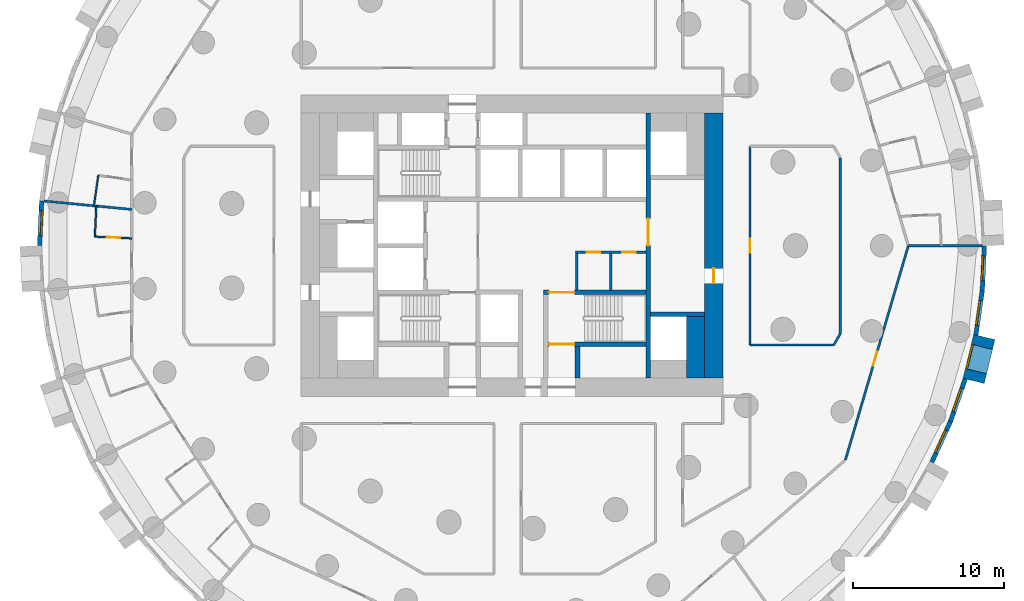
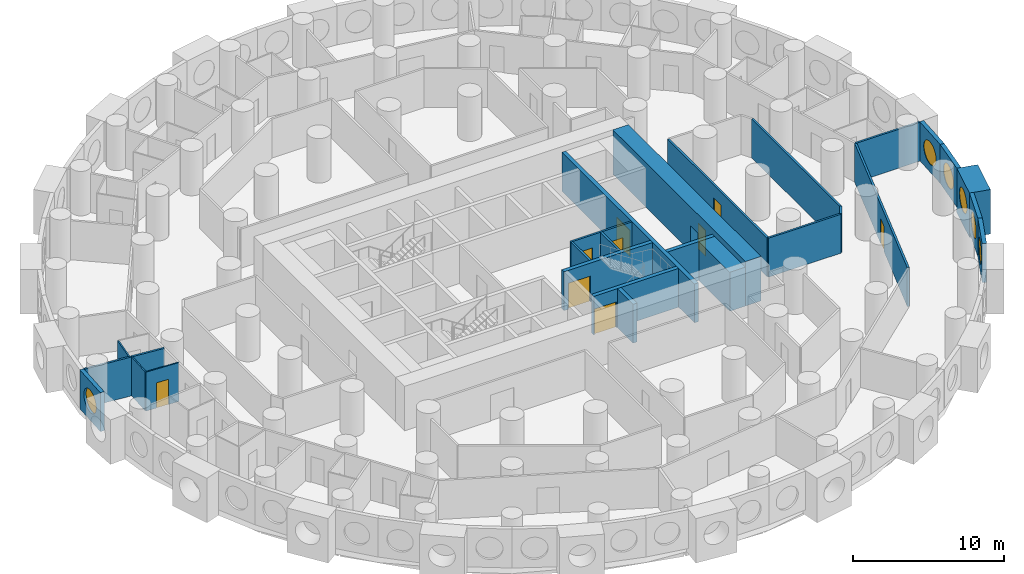
# One storey, part 6 of 12: 26 walls, 9 doors, 6 windows, 15 openings.
"""IFC4 building model written with IfcOpenShell, lengths in metres."""

from ifc_helpers import new_model, si_unit, direction, frame, frame_2d, origin, origin_2d, place, context, subcontext, project, spatial, rectangle, circle, extrude, material, layer, layer_set, type_object, element, fill, save


model = new_model("IFC4")

# Units and contexts
model_context = context("Model", 3, precision=1e-05, world=origin(), true_north=direction((0.0, 1.0)))
body_context = subcontext(model_context, "Body", "Model", "MODEL_VIEW")
ifc_project = project(units=[si_unit("LENGTHUNIT", "METRE"), si_unit("AREAUNIT", "SQUARE_METRE"), si_unit("VOLUMEUNIT", "CUBIC_METRE"), si_unit("PLANEANGLEUNIT", "RADIAN"), si_unit("MASSUNIT", "GRAM", prefix="KILO")], contexts=[model_context])

# Site, building, storey
site_placement = place(None, origin())
site = spatial("IfcSite", under=ifc_project, at=site_placement, CompositionType="ELEMENT")
building_placement = place(site_placement, origin())
building = spatial("IfcBuilding", under=site, at=building_placement, Name="Tracery Tower", CompositionType="ELEMENT")
storey_placement = place(building_placement, frame((0.0, 0.0, 35.39990234375)))
storey = spatial("IfcBuildingStorey", under=building, at=storey_placement, Name="L07", CompositionType="ELEMENT", Elevation=35.39990234375)

# Wall
ifc_material_1 = material(Name="Plasterboard on steel studs", Category="steel")
ifc_layer_1 = layer(ifc_material_1, 0.14990234375)
ifc_layer_set_1 = layer_set([ifc_layer_1], Name="Core room partition 150")
wall_type_1 = type_object("IfcWallType", Name="Core room partition 150", PredefinedType="SOLIDWALL", material=ifc_layer_set_1)
wall_1_placement = place(storey_placement, frame((4.300048828125, -2.949951171875, 0.0), z_axis=(0.0, 0.0, 1.0), x_axis=(0.0, 1.0, 0.0)))
element("IfcWall", 1, at=wall_1_placement, inside=storey, type_object=wall_type_1, Name="L07 slot W", PredefinedType="SOLIDWALL", context=body_context, shape_type="SweptSolid", body=[
    extrude(rectangle(XDim=2.449951171875, YDim=0.14990234375, at=frame_2d((1.22509765625, 0.0))), origin(), (0.0, 0.0, 1.0), 3.150146484375),
])

# Wall, openings, doors
wall_2_placement = place(storey_placement, frame((4.22509765625, -0.425048828125, 0.0), z_axis=(0.0, 0.0, 1.0), x_axis=(1.0, 0.0, 0.0)))
wall_2 = element("IfcWall", 2, at=wall_2_placement, inside=storey, type_object=wall_type_1, Name="L07 slot N", PredefinedType="SOLIDWALL", context=body_context, shape_type="SweptSolid", body=[
    extrude(rectangle(XDim=4.6748046875, YDim=0.14990234375, at=frame_2d((2.33740234375, 0.0))), origin(), (0.0, 0.0, 1.0), 3.150146484375),
])
opening_1_placement = place(wall_2_placement, frame((0.75, 0.0, 0.0)))
opening_1 = element("IfcOpeningElement", 3, at=opening_1_placement, cuts=wall_2, Name="Opening KD22", PredefinedType="OPENING", context=body_context, shape_type="SweptSolid", body=[
    extrude(rectangle(XDim=0.89990234375, YDim=2.10009765625, at=frame_2d((0.449951171875, 1.050048828125))), frame((0.0, 0.074951171875, 0.0), z_axis=(0.0, -1.0, 0.0), x_axis=(1.0, 0.0, 0.0)), (0.0, 0.0, 1.0), 0.14990234375),
])
opening_2_placement = place(wall_2_placement, frame((3.08740234375, 0.0, 0.0)))
opening_2 = element("IfcOpeningElement", 4, at=opening_2_placement, cuts=wall_2, Name="Opening KD26", PredefinedType="OPENING", context=body_context, shape_type="SweptSolid", body=[
    extrude(rectangle(XDim=0.89990234375, YDim=2.10009765625, at=frame_2d((0.449951171875, 1.050048828125))), frame((0.0, 0.074951171875, 0.0), z_axis=(0.0, -1.0, 0.0), x_axis=(1.0, 0.0, 0.0)), (0.0, 0.0, 1.0), 0.14990234375),
])
ifc_material_2 = material(Name="Timber door leaf", Category="wood")
door_type_1 = type_object("IfcDoorType", Name="Core WC door 900", OperationType="NOTDEFINED", PredefinedType="DOOR", material=ifc_material_2)
door_1_placement = place(opening_1_placement, origin())
door_1 = element("IfcDoor", 5, at=door_1_placement, inside=storey, type_object=door_type_1, Name="Core door", OperationType="SINGLE_SWING_RIGHT", OverallHeight=2.10009765625, OverallWidth=0.89990234375, PredefinedType="DOOR", context=body_context, shape_type="SweptSolid", body=[
    extrude(rectangle(XDim=0.89990234375, YDim=2.10009765625, at=frame_2d((0.449951171875, 1.050048828125))), frame((0.0, 0.02490234375, 0.0), z_axis=(0.0, -1.0, 0.0), x_axis=(1.0, 0.0, 0.0)), (0.0, 0.0, 1.0), 0.050048828125),
])
fill(opening_1, door_1)
ifc_material_3 = material(Name="Timber door leaf", Category="wood")
door_type_2 = type_object("IfcDoorType", Name="Core store door 900", OperationType="NOTDEFINED", PredefinedType="DOOR", material=ifc_material_3)
door_2_placement = place(opening_2_placement, origin())
door_2 = element("IfcDoor", 6, at=door_2_placement, inside=storey, type_object=door_type_2, Name="Core door", OperationType="SINGLE_SWING_LEFT", OverallHeight=2.10009765625, OverallWidth=0.89990234375, PredefinedType="DOOR", context=body_context, shape_type="SweptSolid", body=[
    extrude(rectangle(XDim=0.89990234375, YDim=2.10009765625, at=frame_2d((0.449951171875, 1.050048828125))), frame((0.0, 0.02490234375, 0.0), z_axis=(0.0, -1.0, 0.0), x_axis=(1.0, 0.0, 0.0)), (0.0, 0.0, 1.0), 0.050048828125),
])
fill(opening_2, door_2)

# Walls
wall_3_placement = place(storey_placement, frame((6.550048828125, -2.949951171875, 0.0), z_axis=(0.0, 0.0, 1.0), x_axis=(0.0, 1.0, 0.0)))
element("IfcWall", 7, at=wall_3_placement, inside=storey, type_object=wall_type_1, Name="L07 slot sep 1", PredefinedType="SOLIDWALL", context=body_context, shape_type="SweptSolid", body=[
    extrude(rectangle(XDim=2.449951171875, YDim=0.14990234375, at=frame_2d((1.22509765625, 0.0))), origin(), (0.0, 0.0, 1.0), 3.150146484375),
])
ifc_material_4 = material(Name="Concrete C60/75", Category="concrete")
ifc_layer_2 = layer(ifc_material_4, 1.199951171875)
ifc_layer_set_2 = layer_set([ifc_layer_2], Name="Core strip wall 1200 C60")
wall_type_2 = type_object("IfcWallType", Name="Core strip wall 1200 C60", PredefinedType="SOLIDWALL", material=ifc_layer_set_2)
wall_4_placement = place(storey_placement, frame((12.199951171875, -8.800048828125, 0.0), z_axis=(0.0, 0.0, 1.0), x_axis=(0.0, 1.0, 0.0)))
element("IfcWall", 8, at=wall_4_placement, inside=storey, type_object=wall_type_2, Name="L07 wing strip +1 -9.4", PredefinedType="SOLIDWALL", context=body_context, shape_type="SweptSolid", body=[
    extrude(rectangle(XDim=4.10009765625, YDim=1.199951171875, at=frame_2d((2.050048828125, 0.0))), origin(), (0.0, 0.0, 1.0), 3.150146484375),
])

# Wall, opening, door
ifc_material_5 = material(Name="Concrete C60/75", Category="concrete")
ifc_layer_3 = layer(ifc_material_5, 1.199951171875)
ifc_layer_set_3 = layer_set([ifc_layer_3], Name="Core wall 1200 C60")
wall_type_3 = type_object("IfcWallType", Name="Core wall 1200 C60", PredefinedType="SOLIDWALL", material=ifc_layer_set_3)
wall_5_placement = place(storey_placement, frame((13.39990234375, -8.800048828125, 0.0), z_axis=(0.0, 0.0, 1.0), x_axis=(0.0, 1.0, 0.0)))
wall_5 = element("IfcWall", 9, at=wall_5_placement, inside=storey, type_object=wall_type_3, Name="L07 outer E", PredefinedType="SOLIDWALL", context=body_context, shape_type="SweptSolid", body=[
    extrude(rectangle(XDim=17.60009765625, YDim=1.199951171875, at=frame_2d((8.800048828125, 0.0))), origin(), (0.0, 0.0, 1.0), 3.60009765625),
])
opening_3_placement = place(wall_5_placement, frame((6.300048828125, 0.0, 0.0)))
opening_3 = element("IfcOpeningElement", 10, at=opening_3_placement, cuts=wall_5, Name="Opening KD18", PredefinedType="OPENING", context=body_context, shape_type="SweptSolid", body=[
    extrude(rectangle(XDim=1.0, YDim=2.10009765625, at=frame_2d((0.5, 1.050048828125))), frame((0.0, 0.60009765625, 0.0), z_axis=(0.0, -1.0, 0.0), x_axis=(1.0, 0.0, 0.0)), (0.0, 0.0, 1.0), 1.199951171875),
])
ifc_material_6 = material(Name="Steel fire door", Category="steel")
door_type_3 = type_object("IfcDoorType", Name="Core exit door 1000", OperationType="NOTDEFINED", PredefinedType="DOOR", material=ifc_material_6)
door_3_placement = place(opening_3_placement, origin())
door_3 = element("IfcDoor", 11, at=door_3_placement, inside=storey, type_object=door_type_3, Name="Core exit door", OperationType="DOUBLE_DOOR_SINGLE_SWING", OverallHeight=2.10009765625, OverallWidth=1.0, PredefinedType="DOOR", context=body_context, shape_type="SweptSolid", body=[
    extrude(rectangle(XDim=1.0, YDim=2.10009765625, at=frame_2d((0.5, 1.050048828125))), frame((0.0, 0.02490234375, 0.0), z_axis=(0.0, -1.0, 0.0), x_axis=(1.0, 0.0, 0.0)), (0.0, 0.0, 1.0), 0.050048828125),
])
fill(opening_3, door_3)

# Wall, opening, window
ifc_material_7 = material(Name="Precast concrete C50/60", Category="concrete")
ifc_layer_4 = layer(ifc_material_7, 1.449951171875)
ifc_layer_set_4 = layer_set([ifc_layer_4], Name="Deep-set bay unit 3000 x 3600, slab edge 450")
wall_type_4 = type_object("IfcWallType", Name="Deep-set bay unit 3000 x 3600, slab edge 450", PredefinedType="ELEMENTEDWALL", material=ifc_layer_set_4)
wall_6_placement = place(storey_placement, frame((30.66064453125, -8.981689453125, -0.449951171875), z_axis=(0.0, 0.0, 1.0), x_axis=(0.235751415068, 0.971813392732, 0.0)))
wall_6 = element("IfcWall", 12, at=wall_6_placement, inside=storey, type_object=wall_type_4, Name="Deep-set bay unit 64 at L07", PredefinedType="ELEMENTEDWALL", context=body_context, shape_type="SweptSolid", body=[
    extrude(rectangle(XDim=3.0, YDim=1.449951171875, at=frame_2d((1.5, 0.0))), origin(), (0.0, 0.0, 1.0), 3.60009765625),
])
opening_4_placement = place(wall_6_placement, frame((1.5, 0.0, 2.0)))
opening_4 = element("IfcOpeningElement", 13, at=opening_4_placement, cuts=wall_6, Name="Opening WN1", PredefinedType="OPENING", context=body_context, shape_type="SweptSolid", body=[
    extrude(circle(Radius=0.9000244140625, at=origin_2d()), frame((0.0, 0.73486328125, 0.0), z_axis=(0.0, -1.0, 0.0), x_axis=(1.0, 0.0, 0.0)), (0.0, 0.0, 1.0), 1.469970703125),
])
ifc_material_8 = material(Name="Aluminium frame with tinted double glazing", Category="aluminium")
window_type = type_object("IfcWindowType", Name="Round window 1800", PartitioningType="SINGLE_PANEL", PredefinedType="WINDOW", material=ifc_material_8)
window_1_placement = place(opening_4_placement, origin())
window_1 = element("IfcWindow", 14, at=window_1_placement, inside=storey, type_object=window_type, Name="Round window 64 at L07", OverallHeight=1.800048828125, OverallWidth=1.800048828125, PartitioningType="SINGLE_PANEL", PredefinedType="WINDOW", context=body_context, shape_type="SweptSolid", body=[
    extrude(circle(Radius=0.9000244140625, at=origin_2d()), frame((0.0, 0.69482421875, 0.0), z_axis=(0.0, -1.0, 0.0), x_axis=(1.0, 0.0, 0.0)), (0.0, 0.0, 1.0), 0.10009765625),
])
fill(opening_4, window_1)

ifc_material_9 = material(Name="Precast concrete C50/60", Category="concrete")
ifc_layer_5 = layer(ifc_material_9, 0.300048828125)
ifc_layer_set_5 = layer_set([ifc_layer_5], Name="Facade panel 3000 x 3150")
wall_type_5 = type_object("IfcWallType", Name="Facade panel 3000 x 3150", PredefinedType="SOLIDWALL", material=ifc_layer_set_5)
wall_7_placement = place(storey_placement, frame((-31.232421875, 2.982421875, 0.0), z_axis=(0.0, 0.0, 1.0), x_axis=(-0.047522328113, -0.998870175914, 0.0)))
wall_7 = element("IfcWall", 15, at=wall_7_placement, inside=storey, type_object=wall_type_5, Name="Facade panel 33 at L07", PredefinedType="SOLIDWALL", context=body_context, shape_type="SweptSolid", body=[
    extrude(rectangle(XDim=2.979736328125, YDim=0.300048828125, at=frame_2d((1.48974609375, 0.0))), origin(), (0.0, 0.0, 1.0), 3.150146484375),
])
opening_5_placement = place(wall_7_placement, frame((1.48974609375, 0.0, 1.5498046875)))
opening_5 = element("IfcOpeningElement", 16, at=opening_5_placement, cuts=wall_7, Name="Opening WN1", PredefinedType="OPENING", context=body_context, shape_type="SweptSolid", body=[
    extrude(circle(Radius=0.9000244140625, at=origin_2d()), frame((0.0, 0.159912109375, 0.0), z_axis=(0.0, -1.0, 0.0), x_axis=(1.0, 0.0, 0.0)), (0.0, 0.0, 1.0), 0.320068359375),
])
window_2_placement = place(opening_5_placement, origin())
window_2 = element("IfcWindow", 17, at=window_2_placement, inside=storey, type_object=window_type, Name="Round window 33 at L07", OverallHeight=1.800048828125, OverallWidth=1.800048828125, PartitioningType="SINGLE_PANEL", PredefinedType="WINDOW", context=body_context, shape_type="SweptSolid", body=[
    extrude(circle(Radius=0.9000244140625, at=origin_2d()), frame((0.0, 0.1201171875, 0.0), z_axis=(0.0, -1.0, 0.0), x_axis=(1.0, 0.0, 0.0)), (0.0, 0.0, 1.0), 0.10009765625),
])
fill(opening_5, window_2)

wall_8_placement = place(storey_placement, frame((27.88916015625, -14.37109375, 0.0), z_axis=(0.0, 0.0, 1.0), x_axis=(0.415407317162, 0.909635509888, 0.0)))
wall_8 = element("IfcWall", 18, at=wall_8_placement, inside=storey, type_object=wall_type_5, Name="Facade panel 62 at L07", PredefinedType="SOLIDWALL", context=body_context, shape_type="SweptSolid", body=[
    extrude(rectangle(XDim=2.979736328125, YDim=0.300048828125, at=frame_2d((1.48974609375, 0.0))), origin(), (0.0, 0.0, 1.0), 3.150146484375),
])
opening_6_placement = place(wall_8_placement, frame((1.48974609375, 0.0, 1.5498046875)))
opening_6 = element("IfcOpeningElement", 19, at=opening_6_placement, cuts=wall_8, Name="Opening WN1", PredefinedType="OPENING", context=body_context, shape_type="SweptSolid", body=[
    extrude(circle(Radius=0.9000244140625, at=origin_2d()), frame((0.0, 0.159912109375, 0.0), z_axis=(0.0, -1.0, 0.0), x_axis=(1.0, 0.0, 0.0)), (0.0, 0.0, 1.0), 0.320068359375),
])
window_3_placement = place(opening_6_placement, origin())
window_3 = element("IfcWindow", 20, at=window_3_placement, inside=storey, type_object=window_type, Name="Round window 62 at L07", OverallHeight=1.800048828125, OverallWidth=1.800048828125, PartitioningType="SINGLE_PANEL", PredefinedType="WINDOW", context=body_context, shape_type="SweptSolid", body=[
    extrude(circle(Radius=0.9000244140625, at=origin_2d()), frame((0.0, 0.1201171875, 0.0), z_axis=(0.0, -1.0, 0.0), x_axis=(1.0, 0.0, 0.0)), (0.0, 0.0, 1.0), 0.10009765625),
])
fill(opening_6, window_3)

wall_9_placement = place(storey_placement, frame((29.126953125, -11.66064453125, 0.0), z_axis=(0.0, 0.0, 1.0), x_axis=(0.327096492592, 0.944990944154, 0.0)))
wall_9 = element("IfcWall", 21, at=wall_9_placement, inside=storey, type_object=wall_type_5, Name="Facade panel 63 at L07", PredefinedType="SOLIDWALL", context=body_context, shape_type="SweptSolid", body=[
    extrude(rectangle(XDim=2.9794921875, YDim=0.300048828125, at=frame_2d((1.48974609375, 0.0))), origin(), (0.0, 0.0, 1.0), 3.150146484375),
])
opening_7_placement = place(wall_9_placement, frame((1.48974609375, 0.0, 1.5498046875)))
opening_7 = element("IfcOpeningElement", 22, at=opening_7_placement, cuts=wall_9, Name="Opening WN1", PredefinedType="OPENING", context=body_context, shape_type="SweptSolid", body=[
    extrude(circle(Radius=0.9000244140625, at=origin_2d()), frame((0.0, 0.159912109375, 0.0), z_axis=(0.0, -1.0, 0.0), x_axis=(1.0, 0.0, 0.0)), (0.0, 0.0, 1.0), 0.320068359375),
])
window_4_placement = place(opening_7_placement, origin())
window_4 = element("IfcWindow", 23, at=window_4_placement, inside=storey, type_object=window_type, Name="Round window 63 at L07", OverallHeight=1.800048828125, OverallWidth=1.800048828125, PartitioningType="SINGLE_PANEL", PredefinedType="WINDOW", context=body_context, shape_type="SweptSolid", body=[
    extrude(circle(Radius=0.9000244140625, at=origin_2d()), frame((0.0, 0.1201171875, 0.0), z_axis=(0.0, -1.0, 0.0), x_axis=(1.0, 0.0, 0.0)), (0.0, 0.0, 1.0), 0.10009765625),
])
fill(opening_7, window_4)

wall_10_placement = place(storey_placement, frame((30.808349609375, -5.931640625, 0.0), z_axis=(0.0, 0.0, 1.0), x_axis=(0.142327539111, 0.989819615693, 0.0)))
wall_10 = element("IfcWall", 24, at=wall_10_placement, inside=storey, type_object=wall_type_5, Name="Facade panel 65 at L07", PredefinedType="SOLIDWALL", context=body_context, shape_type="SweptSolid", body=[
    extrude(rectangle(XDim=2.9794921875, YDim=0.300048828125, at=frame_2d((1.48974609375, 0.0))), origin(), (0.0, 0.0, 1.0), 3.150146484375),
])
opening_8_placement = place(wall_10_placement, frame((1.48974609375, 0.0, 1.5498046875)))
opening_8 = element("IfcOpeningElement", 25, at=opening_8_placement, cuts=wall_10, Name="Opening WN1", PredefinedType="OPENING", context=body_context, shape_type="SweptSolid", body=[
    extrude(circle(Radius=0.9000244140625, at=origin_2d()), frame((0.0, 0.159912109375, 0.0), z_axis=(0.0, -1.0, 0.0), x_axis=(1.0, 0.0, 0.0)), (0.0, 0.0, 1.0), 0.320068359375),
])
window_5_placement = place(opening_8_placement, origin())
window_5 = element("IfcWindow", 26, at=window_5_placement, inside=storey, type_object=window_type, Name="Round window 65 at L07", OverallHeight=1.800048828125, OverallWidth=1.800048828125, PartitioningType="SINGLE_PANEL", PredefinedType="WINDOW", context=body_context, shape_type="SweptSolid", body=[
    extrude(circle(Radius=0.9000244140625, at=origin_2d()), frame((0.0, 0.1201171875, 0.0), z_axis=(0.0, -1.0, 0.0), x_axis=(1.0, 0.0, 0.0)), (0.0, 0.0, 1.0), 0.10009765625),
])
fill(opening_8, window_5)

wall_11_placement = place(storey_placement, frame((31.232421875, -2.982421875, 0.0), z_axis=(0.0, 0.0, 1.0), x_axis=(0.047522328113, 0.998870175914, 0.0)))
wall_11 = element("IfcWall", 27, at=wall_11_placement, inside=storey, type_object=wall_type_5, Name="Facade panel 66 at L07", PredefinedType="SOLIDWALL", context=body_context, shape_type="SweptSolid", body=[
    extrude(rectangle(XDim=2.979736328125, YDim=0.300048828125, at=frame_2d((1.48974609375, 0.0))), origin(), (0.0, 0.0, 1.0), 3.150146484375),
])
opening_9_placement = place(wall_11_placement, frame((1.48974609375, 0.0, 1.5498046875)))
opening_9 = element("IfcOpeningElement", 28, at=opening_9_placement, cuts=wall_11, Name="Opening WN1", PredefinedType="OPENING", context=body_context, shape_type="SweptSolid", body=[
    extrude(circle(Radius=0.9000244140625, at=origin_2d()), frame((0.0, 0.159912109375, 0.0), z_axis=(0.0, -1.0, 0.0), x_axis=(1.0, 0.0, 0.0)), (0.0, 0.0, 1.0), 0.320068359375),
])
window_6_placement = place(opening_9_placement, origin())
window_6 = element("IfcWindow", 29, at=window_6_placement, inside=storey, type_object=window_type, Name="Round window 66 at L07", OverallHeight=1.800048828125, OverallWidth=1.800048828125, PartitioningType="SINGLE_PANEL", PredefinedType="WINDOW", context=body_context, shape_type="SweptSolid", body=[
    extrude(circle(Radius=0.9000244140625, at=origin_2d()), frame((0.0, 0.1201171875, 0.0), z_axis=(0.0, -1.0, 0.0), x_axis=(1.0, 0.0, 0.0)), (0.0, 0.0, 1.0), 0.10009765625),
])
fill(opening_9, window_6)

# Walls
ifc_material_10 = material(Name="Plasterboard on steel studs", Category="steel")
ifc_layer_6 = layer(ifc_material_10, 0.10009765625)
ifc_layer_set_6 = layer_set([ifc_layer_6], Name="Partition 100 wet wall")
wall_type_6 = type_object("IfcWallType", Name="Partition 100 wet wall", PredefinedType="PARTITIONING", material=ifc_layer_set_6)
wall_12_placement = place(storey_placement, frame((-27.761962890625, 2.65087890625, 0.0), z_axis=(0.0, 0.0, 1.0), x_axis=(0.142124766346, 0.989848751472, 0.0)))
element("IfcWall", 30, at=wall_12_placement, inside=storey, type_object=wall_type_6, Name="Wet wall RA1-095", PredefinedType="PARTITIONING", context=body_context, shape_type="SweptSolid", body=[
    extrude(rectangle(XDim=2.040771484375, YDim=0.10009765625, at=frame_2d((1.0205078125, 0.0))), origin(), (0.0, 0.0, 1.0), 3.150146484375),
])
wall_13_placement = place(storey_placement, frame((-27.701904296875, 0.60498046875, 0.0), z_axis=(0.0, 0.0, 1.0), x_axis=(0.047667833557, 0.998863242713, 0.0)))
element("IfcWall", 31, at=wall_13_placement, inside=storey, type_object=wall_type_6, Name="Wet wall RA1-097", PredefinedType="PARTITIONING", context=body_context, shape_type="SweptSolid", body=[
    extrude(rectangle(XDim=2.033203125, YDim=0.10009765625, at=frame_2d((1.0166015625, 0.0))), origin(), (0.0, 0.0, 1.0), 3.150146484375),
])

# Wall, opening, door
wall_14_placement = place(storey_placement, frame((-27.701904296875, 0.60498046875, 0.0), z_axis=(0.0, 0.0, 1.0), x_axis=(0.998861820864, -0.047697618602, 0.0)))
wall_14 = element("IfcWall", 32, at=wall_14_placement, inside=storey, type_object=wall_type_6, Name="Wet wall RA1-098", PredefinedType="PARTITIONING", context=body_context, shape_type="SweptSolid", body=[
    extrude(rectangle(XDim=2.45166015625, YDim=0.10009765625, at=frame_2d((1.225830078125, 0.0))), origin(), (0.0, 0.0, 1.0), 3.150146484375),
])
opening_10_placement = place(wall_14_placement, frame((0.77587890625, 0.0, 0.0)))
opening_10 = element("IfcOpeningElement", 33, at=opening_10_placement, cuts=wall_14, Name="Opening RA1-35", PredefinedType="OPENING", context=body_context, shape_type="SweptSolid", body=[
    extrude(rectangle(XDim=0.89990234375, YDim=2.0400390625, at=frame_2d((0.449951171875, 1.02001953125))), frame((0.0, 0.050048828125, 0.0), z_axis=(0.0, -1.0, 0.0), x_axis=(1.0, 0.0, 0.0)), (0.0, 0.0, 1.0), 0.10009765625),
])
ifc_material_11 = material(Name="Timber door leaf", Category="wood")
door_type_4 = type_object("IfcDoorType", Name="Door en-suite 900", OperationType="NOTDEFINED", PredefinedType="DOOR", material=ifc_material_11)
door_4_placement = place(opening_10_placement, origin())
door_4 = element("IfcDoor", 34, at=door_4_placement, inside=storey, type_object=door_type_4, Name="En-suite door RA1-35", OperationType="SINGLE_SWING_RIGHT", OverallHeight=2.0400390625, OverallWidth=0.89990234375, PredefinedType="DOOR", context=body_context, shape_type="SweptSolid", body=[
    extrude(rectangle(XDim=0.89990234375, YDim=2.0400390625, at=frame_2d((0.449951171875, 1.02001953125))), frame((0.0, 0.02490234375, 0.0), z_axis=(0.0, -1.0, 0.0), x_axis=(1.0, 0.0, 0.0)), (0.0, 0.0, 1.0), 0.050048828125),
])
fill(opening_10, door_4)

# Walls
ifc_material_12 = material(Name="Plasterboard on steel studs", Category="steel")
ifc_layer_7 = layer(ifc_material_12, 0.14990234375)
ifc_layer_set_7 = layer_set([ifc_layer_7], Name="Partition 150 acoustic unit wall")
wall_type_7 = type_object("IfcWallType", Name="Partition 150 acoustic unit wall", PredefinedType="PARTITIONING", material=ifc_layer_set_7)
wall_15_placement = place(storey_placement, frame((26.319091796875, 0.0, 0.0), z_axis=(0.0, 0.0, 1.0), x_axis=(1.0, 0.0, 0.0)))
element("IfcWall", 35, at=wall_15_placement, inside=storey, type_object=wall_type_7, Name="Unit wall RA1-061", PredefinedType="PARTITIONING", context=body_context, shape_type="SweptSolid", body=[
    extrude(rectangle(XDim=4.905029296875, YDim=0.14990234375, at=frame_2d((2.45263671875, 0.0))), origin(), (0.0, 0.0, 1.0), 3.150146484375),
])
wall_16_placement = place(storey_placement, frame((-31.0830078125, 2.968017578125, 0.0), z_axis=(0.0, 0.0, 1.0), x_axis=(0.995476905331, -0.095003847037, 0.0)))
element("IfcWall", 36, at=wall_16_placement, inside=storey, type_object=wall_type_7, Name="Unit wall RA1-096", PredefinedType="PARTITIONING", context=body_context, shape_type="SweptSolid", body=[
    extrude(rectangle(XDim=5.856689453125, YDim=0.14990234375, at=frame_2d((2.92822265625, 0.0))), origin(), (0.0, 0.0, 1.0), 3.150146484375),
])

# Wall, opening, door
ifc_material_13 = material(Name="Plasterboard on steel studs", Category="steel")
ifc_layer_8 = layer(ifc_material_13, 0.14990234375)
ifc_layer_set_8 = layer_set([ifc_layer_8], Name="Partition 150 corridor wall")
wall_type_8 = type_object("IfcWallType", Name="Partition 150 corridor wall", PredefinedType="PARTITIONING", material=ifc_layer_set_8)
wall_17_placement = place(storey_placement, frame((15.800048828125, -6.60400390625, 0.0), z_axis=(0.0, 0.0, 1.0), x_axis=(0.0, 1.0, 0.0)))
wall_17 = element("IfcWall", 37, at=wall_17_placement, inside=storey, type_object=wall_type_8, Name="Corridor wall RA1-011", PredefinedType="PARTITIONING", context=body_context, shape_type="SweptSolid", body=[
    extrude(rectangle(XDim=13.2080078125, YDim=0.14990234375, at=frame_2d((6.60400390625, 0.0))), origin(), (0.0, 0.0, 1.0), 3.150146484375),
])
opening_11_placement = place(wall_17_placement, frame((6.12890625, 0.0, 0.0)))
opening_11 = element("IfcOpeningElement", 38, at=opening_11_placement, cuts=wall_17, Name="Opening RA1-07", PredefinedType="OPENING", context=body_context, shape_type="SweptSolid", body=[
    extrude(rectangle(XDim=0.949951171875, YDim=2.10009765625, at=frame_2d((0.47509765625, 1.050048828125))), frame((0.0, 0.074951171875, 0.0), z_axis=(0.0, -1.0, 0.0), x_axis=(1.0, 0.0, 0.0)), (0.0, 0.0, 1.0), 0.14990234375),
])
ifc_material_14 = material(Name="Timber door leaf", Category="wood")
door_type_5 = type_object("IfcDoorType", Name="Door store 950", OperationType="NOTDEFINED", PredefinedType="DOOR", material=ifc_material_14)
door_5_placement = place(opening_11_placement, origin())
door_5 = element("IfcDoor", 39, at=door_5_placement, inside=storey, type_object=door_type_5, Name="Store door RA1-07", OperationType="SINGLE_SWING_LEFT", OverallHeight=2.10009765625, OverallWidth=0.949951171875, PredefinedType="DOOR", context=body_context, shape_type="SweptSolid", body=[
    extrude(rectangle(XDim=0.949951171875, YDim=2.10009765625, at=frame_2d((0.47509765625, 1.050048828125))), frame((0.0, 0.02490234375, 0.0), z_axis=(0.0, -1.0, 0.0), x_axis=(1.0, 0.0, 0.0)), (0.0, 0.0, 1.0), 0.050048828125),
])
fill(opening_11, door_5)

# Walls
wall_18_placement = place(storey_placement, frame((15.800048828125, -6.60009765625, 0.0), z_axis=(0.0, 0.0, 1.0), x_axis=(1.0, 0.0, 0.0)))
element("IfcWall", 40, at=wall_18_placement, inside=storey, type_object=wall_type_8, Name="Corridor wall RA1-015", PredefinedType="PARTITIONING", context=body_context, shape_type="SweptSolid", body=[
    extrude(rectangle(XDim=5.56396484375, YDim=0.14990234375, at=frame_2d((2.781982421875, 0.0))), origin(), (0.0, 0.0, 1.0), 3.150146484375),
])
wall_19_placement = place(storey_placement, frame((21.364013671875, -6.60009765625, 0.0), z_axis=(0.0, 0.0, 1.0), x_axis=(0.500277597875, 0.865865073245, 0.0)))
element("IfcWall", 41, at=wall_19_placement, inside=storey, type_object=wall_type_8, Name="Corridor wall RA1-016", PredefinedType="PARTITIONING", context=body_context, shape_type="SweptSolid", body=[
    extrude(rectangle(XDim=0.87548828125, YDim=0.14990234375, at=frame_2d((0.437744140625, 0.0))), origin(), (0.0, 0.0, 1.0), 3.150146484375),
])
wall_20_placement = place(storey_placement, frame((21.802001953125, -5.842041015625, 0.0), z_axis=(0.0, 0.0, 1.0), x_axis=(0.0, 1.0, 0.0)))
element("IfcWall", 42, at=wall_20_placement, inside=storey, type_object=wall_type_8, Name="Corridor wall RA1-017", PredefinedType="PARTITIONING", context=body_context, shape_type="SweptSolid", body=[
    extrude(rectangle(XDim=11.68408203125, YDim=0.14990234375, at=frame_2d((5.842041015625, 0.0))), origin(), (0.0, 0.0, 1.0), 3.150146484375),
])

# Wall, opening, door
wall_21_placement = place(storey_placement, frame((22.14111328125, -14.22900390625, 0.0), z_axis=(0.0, 0.0, 1.0), x_axis=(0.281730446162, 0.959493593363, 0.0)))
wall_21 = element("IfcWall", 43, at=wall_21_placement, inside=storey, type_object=wall_type_8, Name="Corridor wall RA1-022", PredefinedType="PARTITIONING", context=body_context, shape_type="SweptSolid", body=[
    extrude(rectangle(XDim=14.82958984375, YDim=0.14990234375, at=frame_2d((7.414794921875, 0.0))), origin(), (0.0, 0.0, 1.0), 3.150146484375),
])
opening_12_placement = place(wall_21_placement, frame((6.5146484375, 0.0, 0.0)))
opening_12 = element("IfcOpeningElement", 44, at=opening_12_placement, cuts=wall_21, Name="Opening RA1-48", PredefinedType="OPENING", context=body_context, shape_type="SweptSolid", body=[
    extrude(rectangle(XDim=1.0, YDim=2.0400390625, at=frame_2d((0.5, 1.02001953125))), frame((0.0, 0.074951171875, 0.0), z_axis=(0.0, -1.0, 0.0), x_axis=(1.0, 0.0, 0.0)), (0.0, 0.0, 1.0), 0.14990234375),
])
ifc_material_15 = material(Name="Timber door leaf", Category="wood")
door_type_6 = type_object("IfcDoorType", Name="Door communal room 1000", OperationType="NOTDEFINED", PredefinedType="DOOR", material=ifc_material_15)
door_6_placement = place(opening_12_placement, origin())
door_6 = element("IfcDoor", 45, at=door_6_placement, inside=storey, type_object=door_type_6, Name="Communal room door RA1-48", OperationType="SINGLE_SWING_RIGHT", OverallHeight=2.0400390625, OverallWidth=1.0, PredefinedType="DOOR", context=body_context, shape_type="SweptSolid", body=[
    extrude(rectangle(XDim=1.0, YDim=2.0400390625, at=frame_2d((0.5, 1.02001953125))), frame((0.0, 0.02490234375, 0.0), z_axis=(0.0, -1.0, 0.0), x_axis=(1.0, 0.0, 0.0)), (0.0, 0.0, 1.0), 0.050048828125),
])
fill(opening_12, door_6)

# Walls
ifc_material_16 = material(Name="Concrete C60/75", Category="concrete")
ifc_layer_9 = layer(ifc_material_16, 0.300048828125)
ifc_layer_set_9 = layer_set([ifc_layer_9], Name="Shaft wall 300 C60")
wall_type_9 = type_object("IfcWallType", Name="Shaft wall 300 C60", PredefinedType="SOLIDWALL", material=ifc_layer_set_9)
wall_22_placement = place(storey_placement, frame((4.35009765625, -8.800048828125, 0.0), z_axis=(0.0, 0.0, 1.0), x_axis=(0.0, 1.0, 0.0)))
element("IfcWall", 46, at=wall_22_placement, inside=storey, type_object=wall_type_9, Name="L07 band S +4.35", PredefinedType="SOLIDWALL", context=body_context, shape_type="SweptSolid", body=[
    extrude(rectangle(XDim=2.10009765625, YDim=0.300048828125, at=frame_2d((1.050048828125, 0.0))), origin(), (0.0, 0.0, 1.0), 3.150146484375),
])
wall_23_placement = place(storey_placement, frame((9.199951171875, -4.550048828125, 0.0), z_axis=(0.0, 0.0, 1.0), x_axis=(1.0, 0.0, 0.0)))
element("IfcWall", 47, at=wall_23_placement, inside=storey, type_object=wall_type_9, Name="L07 wing shaft wall +1 -4.55", PredefinedType="SOLIDWALL", context=body_context, shape_type="SweptSolid", body=[
    extrude(rectangle(XDim=3.60009765625, YDim=0.300048828125, at=frame_2d((1.800048828125, 0.0))), origin(), (0.0, 0.0, 1.0), 3.150146484375),
])

# Wall, opening, door
ifc_material_17 = material(Name="Concrete C60/75", Category="concrete")
ifc_layer_10 = layer(ifc_material_17, 0.300048828125)
ifc_layer_set_10 = layer_set([ifc_layer_10], Name="Stair wall 300 C60")
wall_type_10 = type_object("IfcWallType", Name="Stair wall 300 C60", PredefinedType="SOLIDWALL", material=ifc_layer_set_10)
wall_24_placement = place(storey_placement, frame((2.10009765625, -3.10009765625, 0.0), z_axis=(0.0, 0.0, 1.0), x_axis=(1.0, 0.0, 0.0)))
wall_24 = element("IfcWall", 48, at=wall_24_placement, inside=storey, type_object=wall_type_10, Name="L07 row S E", PredefinedType="SOLIDWALL", context=body_context, shape_type="SweptSolid", body=[
    extrude(rectangle(XDim=6.7998046875, YDim=0.300048828125, at=frame_2d((3.39990234375, 0.0))), origin(), (0.0, 0.0, 1.0), 3.150146484375),
])
opening_13_placement = place(wall_24_placement, frame((0.35009765625, 0.0, 0.0)))
opening_13 = element("IfcOpeningElement", 49, at=opening_13_placement, cuts=wall_24, Name="Opening KD3", PredefinedType="OPENING", context=body_context, shape_type="SweptSolid", body=[
    extrude(rectangle(XDim=1.699951171875, YDim=2.10009765625, at=frame_2d((0.85009765625, 1.050048828125))), frame((0.0, 0.14990234375, 0.0), z_axis=(0.0, -1.0, 0.0), x_axis=(1.0, 0.0, 0.0)), (0.0, 0.0, 1.0), 0.300048828125),
])
ifc_material_18 = material(Name="Steel fire door", Category="steel")
door_type_7 = type_object("IfcDoorType", Name="Core stair door 1700 double", OperationType="NOTDEFINED", PredefinedType="DOOR", material=ifc_material_18)
door_7_placement = place(opening_13_placement, origin())
door_7 = element("IfcDoor", 50, at=door_7_placement, inside=storey, type_object=door_type_7, Name="Stair door ST2", OperationType="DOUBLE_DOOR_SINGLE_SWING", OverallHeight=2.10009765625, OverallWidth=1.699951171875, PredefinedType="DOOR", context=body_context, shape_type="SweptSolid", body=[
    extrude(rectangle(XDim=1.699951171875, YDim=2.10009765625, at=frame_2d((0.85009765625, 1.050048828125))), frame((0.0, 0.02490234375, 0.0), z_axis=(0.0, -1.0, 0.0), x_axis=(1.0, 0.0, 0.0)), (0.0, 0.0, 1.0), 0.050048828125),
])
fill(opening_13, door_7)

wall_25_placement = place(storey_placement, frame((9.050048828125, -8.800048828125, 0.0), z_axis=(0.0, 0.0, 1.0), x_axis=(0.0, 1.0, 0.0)))
wall_25 = element("IfcWall", 51, at=wall_25_placement, inside=storey, type_object=wall_type_10, Name="L07 F wall +9", PredefinedType="SOLIDWALL", context=body_context, shape_type="SweptSolid", body=[
    extrude(rectangle(XDim=17.60009765625, YDim=0.300048828125, at=frame_2d((8.800048828125, 0.0))), origin(), (0.0, 0.0, 1.0), 3.150146484375),
])
opening_14_placement = place(wall_25_placement, frame((8.800048828125, 0.0, 0.0)))
opening_14 = element("IfcOpeningElement", 52, at=opening_14_placement, cuts=wall_25, Name="Opening KD13", PredefinedType="OPENING", context=body_context, shape_type="SweptSolid", body=[
    extrude(rectangle(XDim=1.800048828125, YDim=2.10009765625, at=frame_2d((0.89990234375, 1.050048828125))), frame((0.0, 0.14990234375, 0.0), z_axis=(0.0, -1.0, 0.0), x_axis=(1.0, 0.0, 0.0)), (0.0, 0.0, 1.0), 0.300048828125),
])
ifc_material_19 = material(Name="Steel fire door", Category="steel")
door_type_8 = type_object("IfcDoorType", Name="Core exit door 1800 double", OperationType="NOTDEFINED", PredefinedType="DOOR", material=ifc_material_19)
door_8_placement = place(opening_14_placement, origin())
door_8 = element("IfcDoor", 53, at=door_8_placement, inside=storey, type_object=door_type_8, Name="Core exit door", OperationType="DOUBLE_DOOR_SINGLE_SWING", OverallHeight=2.10009765625, OverallWidth=1.800048828125, PredefinedType="DOOR", context=body_context, shape_type="SweptSolid", body=[
    extrude(rectangle(XDim=1.800048828125, YDim=2.10009765625, at=frame_2d((0.89990234375, 1.050048828125))), frame((0.0, 0.02490234375, 0.0), z_axis=(0.0, -1.0, 0.0), x_axis=(1.0, 0.0, 0.0)), (0.0, 0.0, 1.0), 0.050048828125),
])
fill(opening_14, door_8)

wall_26_placement = place(storey_placement, frame((2.39990234375, -6.550048828125, 0.0), z_axis=(0.0, 0.0, 1.0), x_axis=(1.0, 0.0, 0.0)))
wall_26 = element("IfcWall", 54, at=wall_26_placement, inside=storey, type_object=wall_type_10, Name="L07 F S E", PredefinedType="SOLIDWALL", context=body_context, shape_type="SweptSolid", body=[
    extrude(rectangle(XDim=6.5, YDim=0.300048828125, at=frame_2d((3.25, 0.0))), origin(), (0.0, 0.0, 1.0), 3.150146484375),
])
opening_15_placement = place(wall_26_placement, frame((0.050048828125, 0.0, 0.0)))
opening_15 = element("IfcOpeningElement", 55, at=opening_15_placement, cuts=wall_26, Name="Opening KD3", PredefinedType="OPENING", context=body_context, shape_type="SweptSolid", body=[
    extrude(rectangle(XDim=1.699951171875, YDim=2.10009765625, at=frame_2d((0.85009765625, 1.050048828125))), frame((0.0, 0.14990234375, 0.0), z_axis=(0.0, -1.0, 0.0), x_axis=(1.0, 0.0, 0.0)), (0.0, 0.0, 1.0), 0.300048828125),
])
door_9_placement = place(opening_15_placement, origin())
door_9 = element("IfcDoor", 56, at=door_9_placement, inside=storey, type_object=door_type_7, Name="Stair door ST2 S", OperationType="DOUBLE_DOOR_SINGLE_SWING", OverallHeight=2.10009765625, OverallWidth=1.699951171875, PredefinedType="DOOR", context=body_context, shape_type="SweptSolid", body=[
    extrude(rectangle(XDim=1.699951171875, YDim=2.10009765625, at=frame_2d((0.85009765625, 1.050048828125))), frame((0.0, 0.02490234375, 0.0), z_axis=(0.0, -1.0, 0.0), x_axis=(1.0, 0.0, 0.0)), (0.0, 0.0, 1.0), 0.050048828125),
])
fill(opening_15, door_9)

save(model, "model.ifc")
